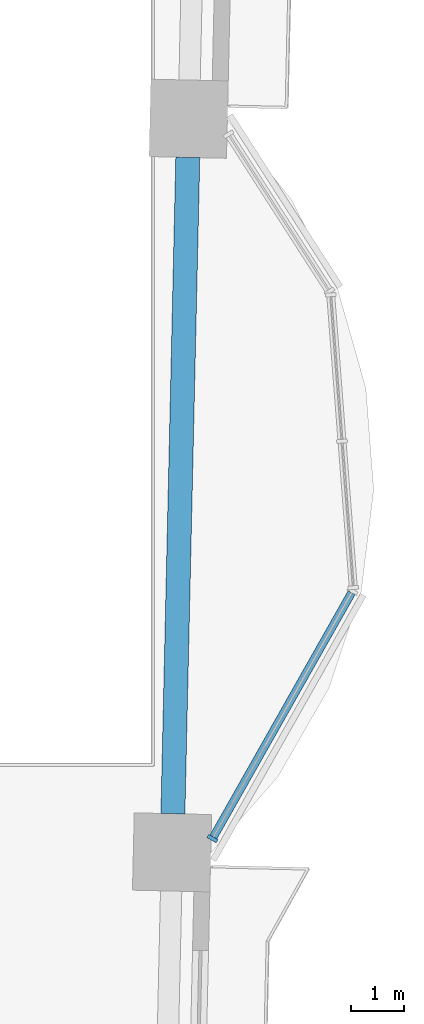
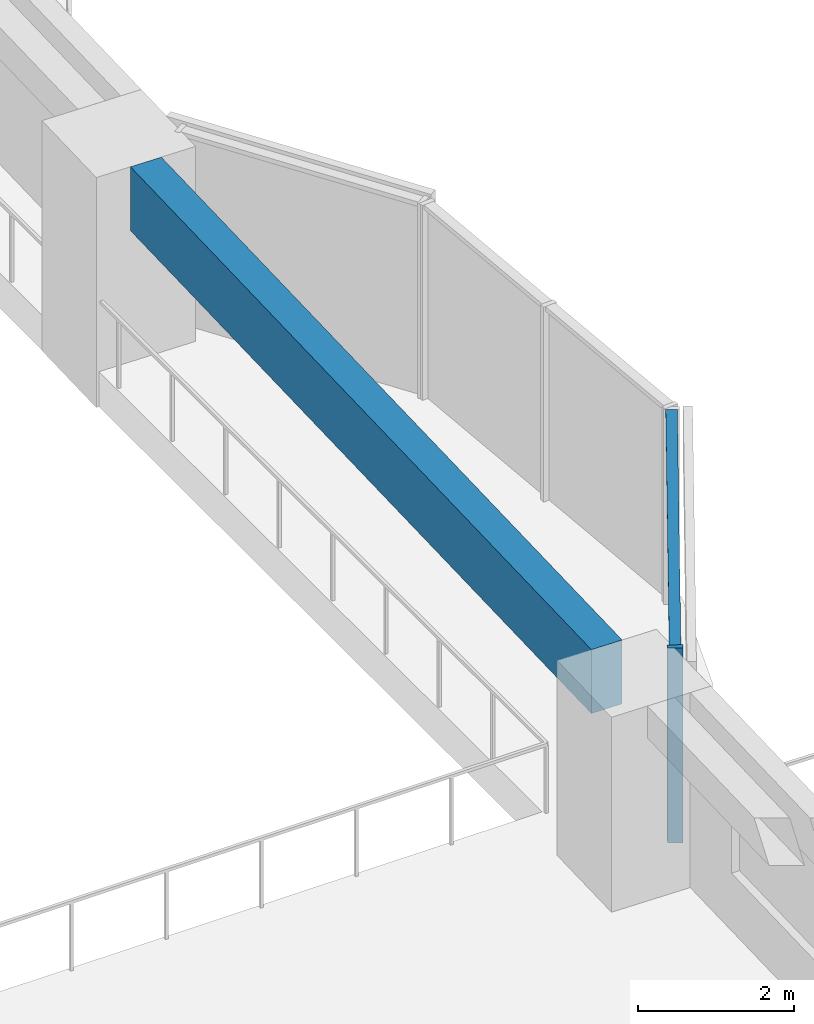
# One storey, part 2 of 18: 2 members, 1 beam, 1 element without a shape of its own.
"""IFC4 building model written with IfcOpenShell, lengths in metres."""

from ifc_helpers import new_model, si_unit, direction, frame, origin, origin_2d, place, context, subcontext, project, spatial, rectangle, extrude, material, material_profile, profile_set, type_object, element, aggregate, save


model = new_model("IFC4")

# Units and contexts
model_context = context("Model", 3, precision=1e-05, world=origin(), true_north=direction((0.0, 1.0)))
body_context = subcontext(model_context, "Body", "Model", "MODEL_VIEW")
ifc_project = project(units=[si_unit("LENGTHUNIT", "METRE"), si_unit("AREAUNIT", "SQUARE_METRE"), si_unit("VOLUMEUNIT", "CUBIC_METRE"), si_unit("PLANEANGLEUNIT", "RADIAN"), si_unit("MASSUNIT", "GRAM", prefix="KILO")], contexts=[model_context])

# Site, building, storey
site_placement = place(None, origin())
site = spatial("IfcSite", under=ifc_project, at=site_placement, CompositionType="ELEMENT")
building_placement = place(site_placement, origin())
building = spatial("IfcBuilding", under=site, at=building_placement, Name="Mangrove Gate Tower", CompositionType="ELEMENT")
storey_placement = place(building_placement, frame((0.0, 0.0, 71.10009765625)))
storey = spatial("IfcBuildingStorey", under=building, at=storey_placement, Name="L17", CompositionType="ELEMENT", Elevation=71.10009765625)

# Curtain wall, members
ifc_material_1 = material(Name="Aluminium and glass curtain wall", Category="aluminium")
curtain_wall_type = type_object("IfcCurtainWallType", Name="Atrium garden-court glazing wall", PredefinedType="NOTDEFINED", material=ifc_material_1)
curtain_wall_placement = place(storey_placement, origin())
curtain_wall = element("IfcCurtainWall", 1, at=curtain_wall_placement, inside=storey, type_object=curtain_wall_type, Name="Atrium garden-court glazing E1f1", PredefinedType="NOTDEFINED")
ifc_material_2 = material(Name="Aluminium alloy 6063-T6", Category="aluminium")
ifc_material_profile_1 = material_profile(ifc_material_2, rectangle(XDim=0.070068359375, YDim=0.199951171875, at=origin_2d()))
ifc_profile_set_1 = profile_set([ifc_material_profile_1], Name="Aluminium alloy 6063-T6")
member_type_1 = type_object("IfcMemberType", Name="Atrium garden-court glazing mullion 70x200", PredefinedType="MULLION", material=ifc_profile_set_1)
member_1_placement = place(storey_placement, frame((31.036865234375, -8.91943359375, 0.0), z_axis=(0.0, 0.0, 1.0), x_axis=(0.492603686489, 0.870253760726, 0.0)))
member_1 = element("IfcMember", 2, at=member_1_placement, type_object=member_type_1, Name="CWA mullion 1", PredefinedType="MULLION", context=body_context, shape_type="SweptSolid", body=[
    extrude(rectangle(XDim=0.070068359375, YDim=0.199951171875, at=origin_2d()), origin(), (0.0, 0.0, 1.0), 3.0498046875),
])
ifc_material_3 = material(Name="Aluminium alloy 6063-T6", Category="aluminium")
ifc_material_profile_2 = material_profile(ifc_material_3, rectangle(XDim=0.070068359375, YDim=0.14990234375, at=origin_2d()))
ifc_profile_set_2 = profile_set([ifc_material_profile_2], Name="Aluminium alloy 6063-T6")
member_type_2 = type_object("IfcMemberType", Name="Atrium garden-court glazing transom 70x150", PredefinedType="USERDEFINED", material=ifc_profile_set_2)
member_2_placement = place(storey_placement, frame((31.053955078125, -8.88916015625, 3.014892578125), z_axis=(0.492620111865, 0.870244463002, 0.0), x_axis=(0.0, 0.0, 1.0)))
member_2 = element("IfcMember", 3, at=member_2_placement, type_object=member_type_2, Name="CWA transom 1.2", ObjectType="TRANSOM", PredefinedType="USERDEFINED", context=body_context, shape_type="SweptSolid", body=[
    extrude(rectangle(XDim=0.070068359375, YDim=0.14990234375, at=origin_2d()), origin(), (0.0, 0.0, 1.0), 5.2587890625),
])
aggregate(curtain_wall, [member_1, member_2])

# Beam
ifc_material_4 = material(Name="Concrete C50/60", Category="concrete")
ifc_material_profile_3 = material_profile(ifc_material_4, rectangle(XDim=0.449951171875, YDim=1.0, at=origin_2d()))
ifc_profile_set_3 = profile_set([ifc_material_profile_3], Name="Concrete C50/60")
beam_type = type_object("IfcBeamType", Name="Edge beam RC 450x1000 C50/60", PredefinedType="BEAM", material=ifc_profile_set_3)
beam_placement = place(storey_placement, frame((30.295654296875, -8.45263671875, 2.5498046875), z_axis=(0.022686238453, 0.999742634174, 0.0), x_axis=(-0.999742634174, 0.022686238453, 0.0)))
element("IfcBeam", 4, at=beam_placement, inside=storey, type_object=beam_type, Name="Edge beam L17 16", PredefinedType="BEAM", context=body_context, shape_type="SweptSolid", body=[
    extrude(rectangle(XDim=0.449951171875, YDim=1.0, at=origin_2d()), origin(), (0.0, 0.0, 1.0), 12.300537109375),
])

save(model, "model.ifc")
